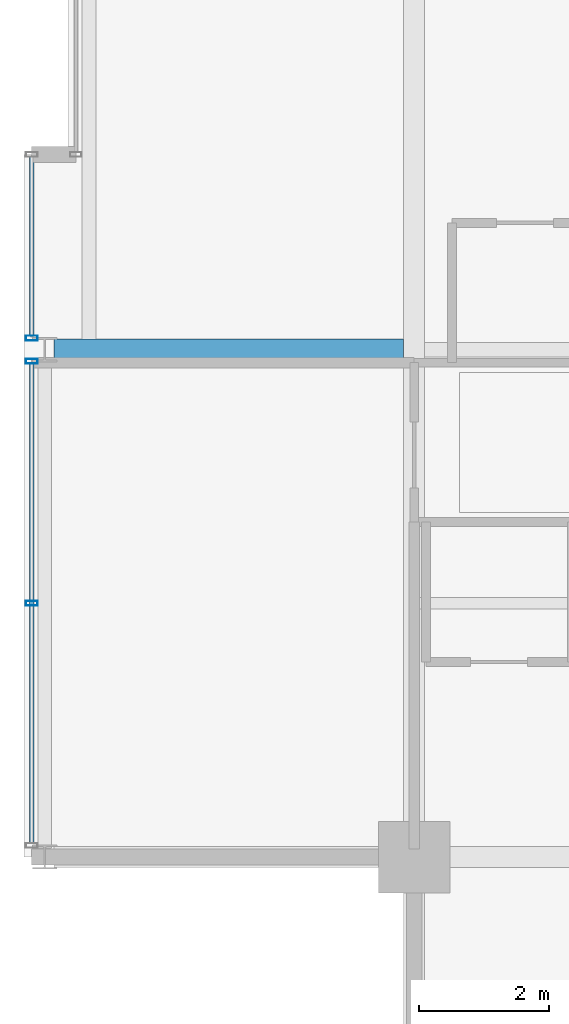
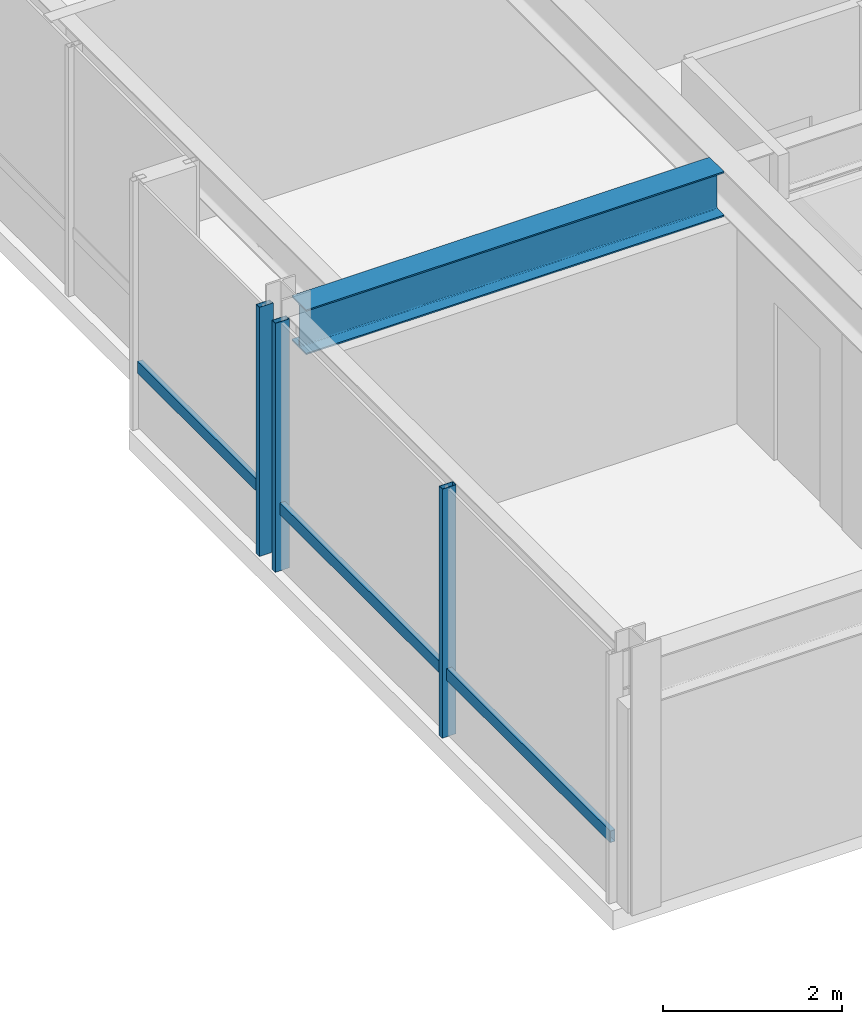
# One storey, part 5 of 33: 5 members, 1 beam, 2 elements without a shape of their own.
"""IFC4 building model written with IfcOpenShell, lengths in metres."""

from ifc_helpers import new_model, si_unit, direction, frame, origin, origin_2d, place, context, subcontext, project, spatial, hollow_rectangle, i_section, extrude, material, layer, layer_set, material_profile, profile_set, type_object, element, aggregate, save


model = new_model("IFC4")

# Units and contexts
model_context = context("Model", 3, precision=1e-05, world=origin(), true_north=direction((0.0, 1.0)))
body_context = subcontext(model_context, "Body", "Model", "MODEL_VIEW")
ifc_project = project(units=[si_unit("LENGTHUNIT", "METRE"), si_unit("AREAUNIT", "SQUARE_METRE"), si_unit("VOLUMEUNIT", "CUBIC_METRE"), si_unit("PLANEANGLEUNIT", "RADIAN"), si_unit("MASSUNIT", "GRAM", prefix="KILO")], contexts=[model_context])

# Site, building, storey
site_placement = place(None, origin())
site = spatial("IfcSite", under=ifc_project, at=site_placement, CompositionType="ELEMENT")
building_placement = place(site_placement, origin())
building = spatial("IfcBuilding", under=site, at=building_placement, Name="Drelvath Grand Hotel", CompositionType="ELEMENT")
storey_placement = place(building_placement, frame((0.0, 0.0, 268.64990234375)))
storey = spatial("IfcBuildingStorey", under=building, at=storey_placement, Name="L70", CompositionType="ELEMENT", Elevation=268.64990234375)

# Curtain wall, member
ifc_material_1 = material(Name="Platinum-Mist Anodised Aluminium Frame", Category="aluminium")
ifc_layer = layer(ifc_material_1, 0.199951171875)
ifc_layer_set = layer_set([ifc_layer], Name="Platinum-Mist Anodised Aluminium Frame")
curtain_wall_type = type_object("IfcCurtainWallType", Name="Stick Curtain Wall CW-05 Platinum Mist High-Rise", PredefinedType="NOTDEFINED", material=ifc_layer_set)
curtain_wall_1_placement = place(storey_placement, origin())
curtain_wall_1 = element("IfcCurtainWall", 1, at=curtain_wall_1_placement, inside=storey, type_object=curtain_wall_type, Name="L70 CW-05 Curtain Wall CW05-L70-WS1", PredefinedType="NOTDEFINED")
ifc_material_profile_1 = material_profile(ifc_material_1, hollow_rectangle(XDim=0.06494140625, YDim=0.159912109375, WallThickness=0.00390625, at=origin_2d()), Name="HSS160X65X4")
ifc_profile_set_1 = profile_set([ifc_material_profile_1], Name="Platinum-Mist Anodised Aluminium Frame")
member_type_1 = type_object("IfcMemberType", Name="Curtain Wall Horizontal Transom CW-05 HSS160X65X4", PredefinedType="USERDEFINED", material=ifc_profile_set_1)
member_1_placement = place(storey_placement, frame((-22.080078125, 11.018310546875, 0.84765625), z_axis=(0.0, 1.0, 0.0), x_axis=(-1.0, 0.0, 0.0)))
member_1 = element("IfcMember", 2, at=member_1_placement, type_object=member_type_1, Name="CW05-L70-WS1 Sill Transom", ObjectType="TRANSOM", PredefinedType="USERDEFINED", context=body_context, shape_type="SweptSolid", body=[
    extrude(hollow_rectangle(XDim=0.06494140625, YDim=0.159912109375, WallThickness=0.00390625, at=origin_2d()), origin(), (0.0, 0.0, 1.0), 7.363525390625),
])

curtain_wall_2_placement = place(storey_placement, origin())
curtain_wall_2 = element("IfcCurtainWall", 3, at=curtain_wall_2_placement, inside=storey, type_object=curtain_wall_type, Name="L70 CW-05 Curtain Wall CW05-L70-WS2", PredefinedType="NOTDEFINED")
member_2_placement = place(storey_placement, frame((-22.080078125, 18.818115234375, 0.84765625), z_axis=(0.0, 1.0, 0.0), x_axis=(-1.0, 0.0, 0.0)))
member_2 = element("IfcMember", 4, at=member_2_placement, type_object=member_type_1, Name="CW05-L70-WS2 Sill Transom", ObjectType="TRANSOM", PredefinedType="USERDEFINED", context=body_context, shape_type="SweptSolid", body=[
    extrude(hollow_rectangle(XDim=0.06494140625, YDim=0.159912109375, WallThickness=0.00390625, at=origin_2d()), origin(), (0.0, 0.0, 1.0), 2.741943359375),
])

# Member
ifc_material_profile_2 = material_profile(ifc_material_1, hollow_rectangle(XDim=0.074951171875, YDim=0.179931640625, WallThickness=0.0048828125, at=origin_2d()), Name="HSS180X75X5")
ifc_profile_set_2 = profile_set([ifc_material_profile_2], Name="Platinum-Mist Anodised Aluminium Frame")
member_type_2 = type_object("IfcMemberType", Name="Curtain Wall Vertical Mullion CW-05 HSS180X75X5", PredefinedType="MULLION", material=ifc_profile_set_2)
member_3_placement = place(storey_placement, frame((-22.080078125, 14.699951171875, 0.0), z_axis=(0.0, 0.0, 1.0), x_axis=(0.0, 1.0, 0.0)))
member_3 = element("IfcMember", 5, at=member_3_placement, type_object=member_type_2, Name="CW05-L70-WS1 Mullion 2", PredefinedType="MULLION", context=body_context, shape_type="SweptSolid", body=[
    extrude(hollow_rectangle(XDim=0.074951171875, YDim=0.179931640625, WallThickness=0.0048828125, at=origin_2d()), origin(), (0.0, 0.0, 1.0), 3.39013671875),
])

member_4_placement = place(storey_placement, frame((-22.080078125, 18.421875, 0.0), z_axis=(0.0, 0.0, 1.0), x_axis=(0.0, 1.0, 0.0)))
member_4 = element("IfcMember", 6, at=member_4_placement, type_object=member_type_2, Name="CW05-L70-WS1 Mullion 3", PredefinedType="MULLION", context=body_context, shape_type="SweptSolid", body=[
    extrude(hollow_rectangle(XDim=0.074951171875, YDim=0.179931640625, WallThickness=0.0048828125, at=origin_2d()), origin(), (0.0, 0.0, 1.0), 3.39013671875),
])

aggregate(curtain_wall_1, [member_3, member_4, member_1])

member_5_placement = place(storey_placement, frame((-22.080078125, 18.7783203125, 0.0), z_axis=(0.0, 0.0, 1.0), x_axis=(0.0, 1.0, 0.0)))
member_5 = element("IfcMember", 7, at=member_5_placement, type_object=member_type_2, Name="CW05-L70-WS2 Mullion 1", PredefinedType="MULLION", context=body_context, shape_type="SweptSolid", body=[
    extrude(hollow_rectangle(XDim=0.074951171875, YDim=0.179931640625, WallThickness=0.0048828125, at=origin_2d()), origin(), (0.0, 0.0, 1.0), 3.39013671875),
])

aggregate(curtain_wall_2, [member_5, member_2])

# Beam
ifc_material_2 = material(Name="Steel ASTM A992 Gr 50", Category="steel")
ifc_material_profile_3 = material_profile(ifc_material_2, i_section(OverallWidth=0.323974609375, OverallDepth=0.611083984375, WebThickness=0.0126953125, FlangeThickness=0.01904296875, FilletRadius=0.02197265625, at=origin_2d()), Name="W24X104")
ifc_profile_set_3 = profile_set([ifc_material_profile_3], Name="Steel ASTM A992 Gr 50")
beam_type = type_object("IfcBeamType", Name="Primary Floor Girder W24X104", PredefinedType="BEAM", material=ifc_profile_set_3)
beam_placement = place(storey_placement, frame((-21.739990234375, 18.60009765625, 3.084716796875), z_axis=(1.0, 0.0, 0.0), x_axis=(0.0, 1.0, 0.0)))
element("IfcBeam", 8, at=beam_placement, inside=storey, type_object=beam_type, Name="L70 West Wing Girder D", PredefinedType="BEAM", context=body_context, shape_type="SweptSolid", body=[
    extrude(i_section(OverallWidth=0.323974609375, OverallDepth=0.611083984375, WebThickness=0.0126953125, FlangeThickness=0.01904296875, FilletRadius=0.02197265625, at=origin_2d()), origin(), (0.0, 0.0, 1.0), 5.3779296875),
])

save(model, "model.ifc")
